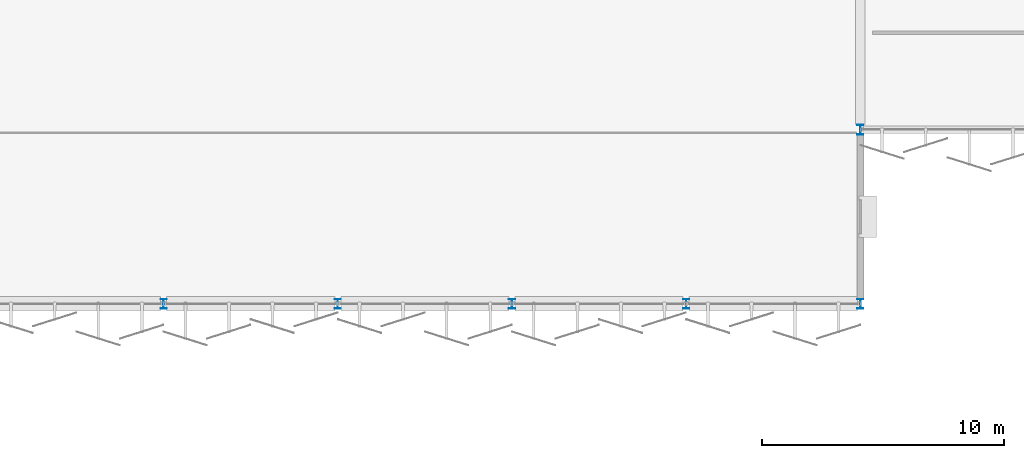
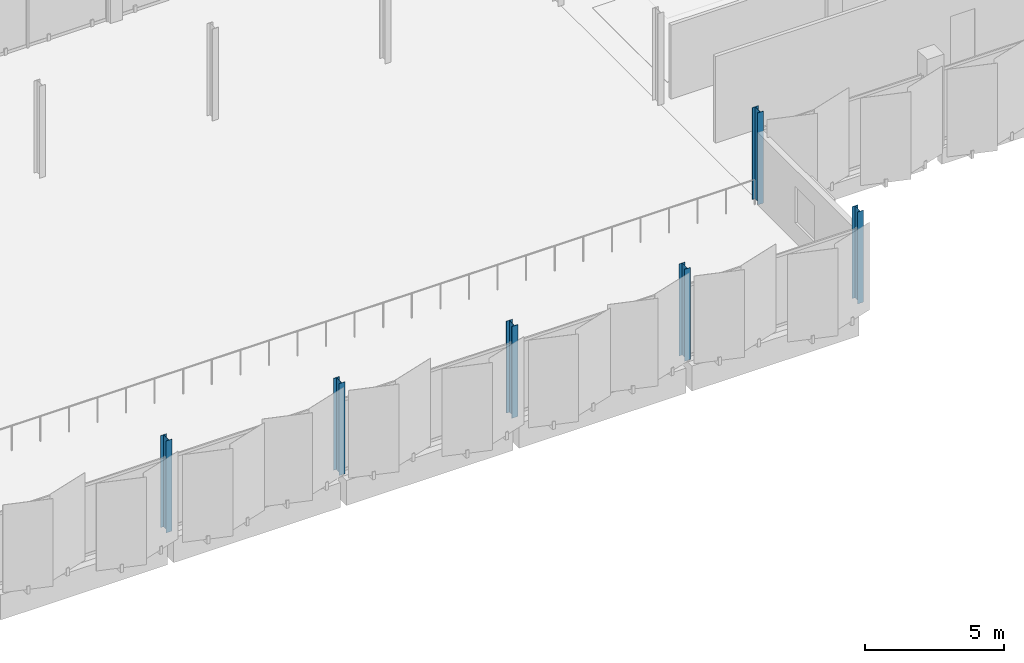
# One storey, part 9 of 107: 6 columns.
"""IFC4 building model written with IfcOpenShell, lengths in metres."""

from ifc_helpers import new_model, si_unit, direction, frame, origin, origin_2d, place, context, subcontext, project, spatial, i_section, extrude, material, material_profile, profile_set, type_object, element, save


model = new_model("IFC4")

# Units and contexts
model_context = context("Model", 3, precision=1e-05, world=origin(), true_north=direction((0.0, 1.0)))
body_context = subcontext(model_context, "Body", "Model", "MODEL_VIEW")
ifc_project = project(units=[si_unit("LENGTHUNIT", "METRE"), si_unit("AREAUNIT", "SQUARE_METRE"), si_unit("VOLUMEUNIT", "CUBIC_METRE"), si_unit("PLANEANGLEUNIT", "RADIAN"), si_unit("MASSUNIT", "GRAM", prefix="KILO")], contexts=[model_context])

# Site, building, storey
site_placement = place(None, origin())
site = spatial("IfcSite", under=ifc_project, at=site_placement, CompositionType="ELEMENT")
building_placement = place(site_placement, origin())
building = spatial("IfcBuilding", under=site, at=building_placement, Name="Kangsadwip Square Police Headquarters", CompositionType="ELEMENT")
storey_placement = place(building_placement, frame((0.0, 0.0, 5.39990234375)))
storey = spatial("IfcBuildingStorey", under=building, at=storey_placement, Name="L01", CompositionType="ELEMENT", Elevation=5.39990234375)

# Columns
ifc_material = material(Name="Structural steel IS 2062 E350 (Grade 350, 350 MPa)", Category="steel")
ifc_material_profile = material_profile(ifc_material, i_section(OverallWidth=0.25, OverallDepth=0.39990234375, WebThickness=0.010498046875, FlangeThickness=0.0126953125, at=origin_2d()), Name="ISHB 400")
ifc_profile_set = profile_set([ifc_material_profile], Name="Structural steel IS 2062 E350 (Grade 350, 350 MPa)")
column_type = type_object("IfcColumnType", Name="SteelColIshb400", PredefinedType="COLUMN", material=ifc_profile_set)
for number, where, z_axis, x_axis, name in (
    (1, (64.800048828125, 86.39990234375, 0.0), (0.0, 0.0, 1.0), (1.0, 0.0, 0.0), "Column COL-L01-09-12"),
    (2, (72.0, 86.39990234375, 0.0), (0.0, 0.0, 1.0), (1.0, 0.0, 0.0), "Column COL-L01-10-12"),
    (3, (79.199951171875, 86.39990234375, 0.0), (0.0, 0.0, 1.0), (1.0, 0.0, 0.0), "Column COL-L01-11-12"),
    (4, (86.39990234375, 86.39990234375, 0.0), (0.0, 0.0, 1.0), (1.0, 0.0, 0.0), "Column COL-L01-12-12"),
    (5, (93.60009765625, 86.39990234375, 0.0), (0.0, 0.0, 1.0), (1.0, 0.0, 0.0), "Column COL-L01-13-12"),
    (6, (93.60009765625, 93.60009765625, 0.0), (0.0, 0.0, 1.0), (1.0, 0.0, 0.0), "Column COL-L01-13-13"),
):
    element("IfcColumn", number, at=place(storey_placement, frame(where, z_axis=z_axis, x_axis=x_axis)), inside=storey, type_object=column_type, Name=name, PredefinedType="COLUMN", context=body_context, shape_type="SweptSolid", body=[
        extrude(i_section(OverallWidth=0.25, OverallDepth=0.39990234375, WebThickness=0.010498046875, FlangeThickness=0.0126953125, at=origin_2d()), origin(), (0.0, 0.0, 1.0), 4.050048828125),
    ])

save(model, "model.ifc")
